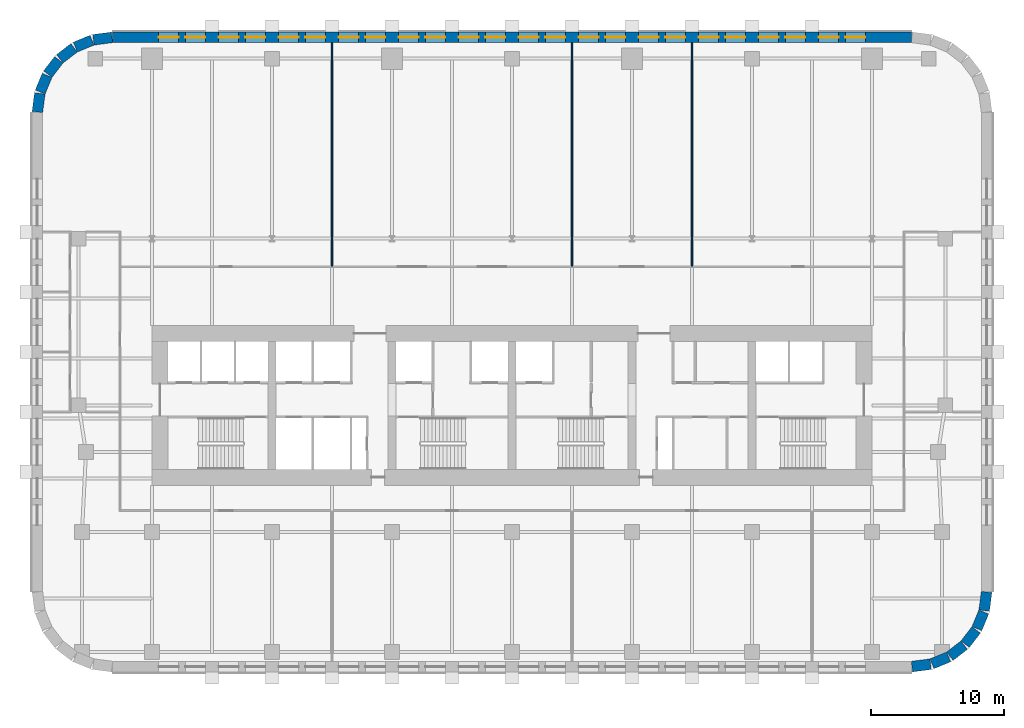
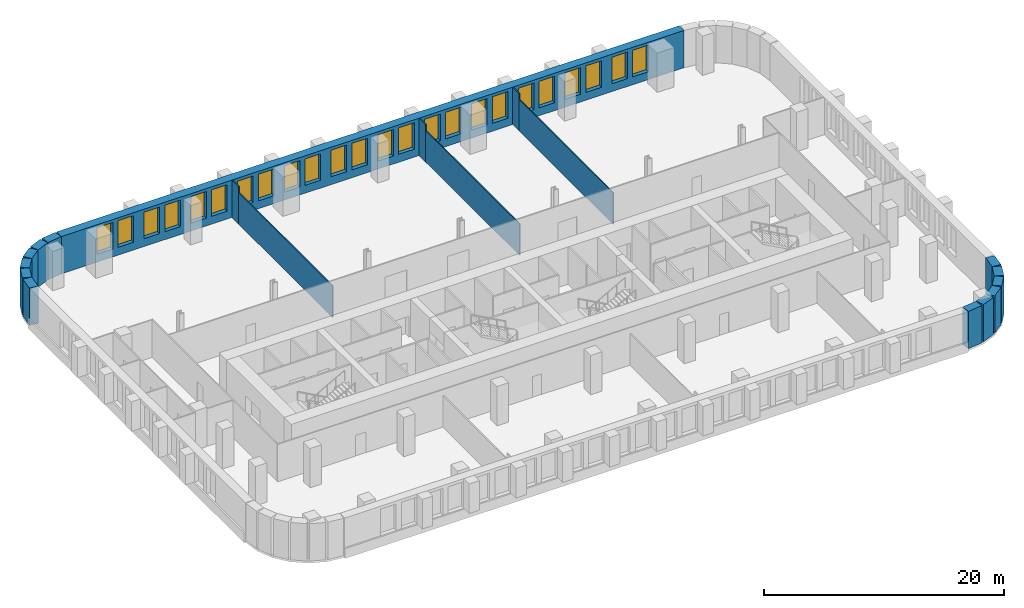
# One storey, part 7 of 11: 24 windows, 19 walls, 24 openings.
"""IFC4 building model written with IfcOpenShell, lengths in metres."""

from ifc_helpers import new_model, si_unit, direction, frame, frame_2d, origin, place, context, subcontext, project, spatial, rectangle, extrude, material, layer, layer_set, type_object, element, fill, save


model = new_model("IFC4")

# Units and contexts
model_context = context("Model", 3, precision=1e-05, world=origin(), true_north=direction((0.0, 1.0)))
body_context = subcontext(model_context, "Body", "Model", "MODEL_VIEW")
ifc_project = project(units=[si_unit("LENGTHUNIT", "METRE"), si_unit("AREAUNIT", "SQUARE_METRE"), si_unit("VOLUMEUNIT", "CUBIC_METRE"), si_unit("PLANEANGLEUNIT", "RADIAN"), si_unit("MASSUNIT", "GRAM", prefix="KILO")], contexts=[model_context])

# Site, building, storey
site_placement = place(None, origin())
site = spatial("IfcSite", under=ifc_project, at=site_placement, CompositionType="ELEMENT")
building_placement = place(site_placement, origin())
building = spatial("IfcBuilding", under=site, at=building_placement, Name="Zellij Exchange Tower", CompositionType="ELEMENT")
storey_placement = place(building_placement, frame((0.0, 0.0, 72.5)))
storey = spatial("IfcBuildingStorey", under=building, at=storey_placement, Name="L14", CompositionType="ELEMENT", Elevation=72.5)

# Walls
ifc_material_1 = material(Name="Precast concrete C40/50", Category="concrete")
ifc_layer_1 = layer(ifc_material_1, 0.800048828125)
ifc_layer_set_1 = layer_set([ifc_layer_1], Name="Precast concrete C40/50")
wall_type_1 = type_object("IfcWallType", Name="ENV-EW1 Precast stone-piered wall 800", PredefinedType="SOLIDWALL", material=ifc_layer_set_1)
wall_1_placement = place(storey_placement, frame((29.999755859375, -27.5966796875, 0.0), z_axis=(0.0, 0.0, 1.0), x_axis=(0.99144603414, 0.130517283865, 0.0)))
element("IfcWall", 1, at=wall_1_placement, inside=storey, type_object=wall_type_1, Name="fac.L14.01", PredefinedType="SOLIDWALL", context=body_context, shape_type="SweptSolid", body=[
    extrude(rectangle(XDim=1.408447265625, YDim=0.800048828125, at=frame_2d((0.7041015625, 0.0))), origin(), (0.0, 0.0, 1.0), 3.800048828125),
])
wall_2_placement = place(storey_placement, frame((31.497314453125, -27.3857421875, 0.0), z_axis=(0.0, 0.0, 1.0), x_axis=(0.923847774587, 0.38276009378, 0.0)))
element("IfcWall", 2, at=wall_2_placement, inside=storey, type_object=wall_type_1, Name="fac.L14.02", PredefinedType="SOLIDWALL", context=body_context, shape_type="SweptSolid", body=[
    extrude(rectangle(XDim=1.35546875, YDim=0.800048828125, at=frame_2d((0.677734375, 0.0))), origin(), (0.0, 0.0, 1.0), 3.800048828125),
])
for number, where, z_axis, x_axis, name in (
    (3, (32.840087890625, -26.814697265625, 0.0), (0.0, 0.0, 1.0), (0.793272915452, 0.608866226366, 0.0), "fac.L14.03"),
    (4, (33.9892578125, -25.91552734375, 0.0), (0.0, 0.0, 1.0), (0.608866226366, 0.793272915452, 0.0), "fac.L14.04"),
):
    element("IfcWall", number, at=place(storey_placement, frame(where, z_axis=z_axis, x_axis=x_axis)), inside=storey, type_object=wall_type_1, Name=name, PredefinedType="SOLIDWALL", context=body_context, shape_type="SweptSolid", body=[
        extrude(rectangle(XDim=1.355712890625, YDim=0.800048828125, at=frame_2d((0.677734375, 0.0))), origin(), (0.0, 0.0, 1.0), 3.800048828125),
    ])
wall_3_placement = place(storey_placement, frame((34.866943359375, -24.74951171875, 0.0), z_axis=(0.0, 0.0, 1.0), x_axis=(0.38276009378, 0.923847774587, 0.0)))
element("IfcWall", 5, at=wall_3_placement, inside=storey, type_object=wall_type_1, Name="fac.L14.05", PredefinedType="SOLIDWALL", context=body_context, shape_type="SweptSolid", body=[
    extrude(rectangle(XDim=1.35546875, YDim=0.800048828125, at=frame_2d((0.677734375, 0.0))), origin(), (0.0, 0.0, 1.0), 3.800048828125),
])
wall_4_placement = place(storey_placement, frame((35.412841796875, -23.396240234375, 0.0), z_axis=(0.0, 0.0, 1.0), x_axis=(0.130517283865, 0.99144603414, 0.0)))
element("IfcWall", 6, at=wall_4_placement, inside=storey, type_object=wall_type_1, Name="fac.L14.06", PredefinedType="SOLIDWALL", context=body_context, shape_type="SweptSolid", body=[
    extrude(rectangle(XDim=1.408447265625, YDim=0.800048828125, at=frame_2d((0.7041015625, 0.0))), origin(), (0.0, 0.0, 1.0), 3.800048828125),
])

# Wall, openings, windows
wall_5_placement = place(storey_placement, frame((29.947509765625, 19.60009765625, 0.0), z_axis=(0.0, 0.0, 1.0), x_axis=(-1.0, 0.0, 0.0)))
wall_5 = element("IfcWall", 7, at=wall_5_placement, inside=storey, type_object=wall_type_1, Name="fac.L14.14", PredefinedType="SOLIDWALL", context=body_context, shape_type="SweptSolid", body=[
    extrude(rectangle(XDim=59.89501953125, YDim=0.800048828125, at=frame_2d((29.947509765625, 0.0))), origin(), (0.0, 0.0, 1.0), 3.800048828125),
])
opening_1_placement = place(wall_5_placement, frame((3.447509765625, 0.0, 0.800048828125)))
opening_1 = element("IfcOpeningElement", 8, at=opening_1_placement, cuts=wall_5, Name="Opening FZ1.37", PredefinedType="OPENING", context=body_context, shape_type="SweptSolid", body=[
    extrude(rectangle(XDim=1.5, YDim=2.699951171875, at=frame_2d((0.75, 1.35009765625))), frame((0.0, 0.412109375, 0.0), z_axis=(0.0, -1.0, 0.0), x_axis=(1.0, 0.0, 0.0)), (0.0, 0.0, 1.0), 0.823974609375),
])
opening_2_placement = place(wall_5_placement, frame((5.447509765625, 0.0, 0.800048828125)))
opening_2 = element("IfcOpeningElement", 9, at=opening_2_placement, cuts=wall_5, Name="Opening FZ1.38", PredefinedType="OPENING", context=body_context, shape_type="SweptSolid", body=[
    extrude(rectangle(XDim=1.5, YDim=2.699951171875, at=frame_2d((0.75, 1.35009765625))), frame((0.0, 0.412109375, 0.0), z_axis=(0.0, -1.0, 0.0), x_axis=(1.0, 0.0, 0.0)), (0.0, 0.0, 1.0), 0.823974609375),
])
opening_3_placement = place(wall_5_placement, frame((7.947509765625, 0.0, 0.800048828125)))
opening_3 = element("IfcOpeningElement", 10, at=opening_3_placement, cuts=wall_5, Name="Opening FZ1.39", PredefinedType="OPENING", context=body_context, shape_type="SweptSolid", body=[
    extrude(rectangle(XDim=1.5, YDim=2.699951171875, at=frame_2d((0.75, 1.35009765625))), frame((0.0, 0.412109375, 0.0), z_axis=(0.0, -1.0, 0.0), x_axis=(1.0, 0.0, 0.0)), (0.0, 0.0, 1.0), 0.823974609375),
])
opening_4_placement = place(wall_5_placement, frame((9.947509765625, 0.0, 0.800048828125)))
opening_4 = element("IfcOpeningElement", 11, at=opening_4_placement, cuts=wall_5, Name="Opening FZ1.40", PredefinedType="OPENING", context=body_context, shape_type="SweptSolid", body=[
    extrude(rectangle(XDim=1.5, YDim=2.699951171875, at=frame_2d((0.75, 1.35009765625))), frame((0.0, 0.412109375, 0.0), z_axis=(0.0, -1.0, 0.0), x_axis=(1.0, 0.0, 0.0)), (0.0, 0.0, 1.0), 0.823974609375),
])
opening_5_placement = place(wall_5_placement, frame((12.447509765625, 0.0, 0.800048828125)))
opening_5 = element("IfcOpeningElement", 12, at=opening_5_placement, cuts=wall_5, Name="Opening FZ1.41", PredefinedType="OPENING", context=body_context, shape_type="SweptSolid", body=[
    extrude(rectangle(XDim=1.5, YDim=2.699951171875, at=frame_2d((0.75, 1.35009765625))), frame((0.0, 0.412109375, 0.0), z_axis=(0.0, -1.0, 0.0), x_axis=(1.0, 0.0, 0.0)), (0.0, 0.0, 1.0), 0.823974609375),
])
opening_6_placement = place(wall_5_placement, frame((14.447509765625, 0.0, 0.800048828125)))
opening_6 = element("IfcOpeningElement", 13, at=opening_6_placement, cuts=wall_5, Name="Opening FZ1.42", PredefinedType="OPENING", context=body_context, shape_type="SweptSolid", body=[
    extrude(rectangle(XDim=1.5, YDim=2.699951171875, at=frame_2d((0.75, 1.35009765625))), frame((0.0, 0.412109375, 0.0), z_axis=(0.0, -1.0, 0.0), x_axis=(1.0, 0.0, 0.0)), (0.0, 0.0, 1.0), 0.823974609375),
])
opening_7_placement = place(wall_5_placement, frame((16.947509765625, 0.0, 0.800048828125)))
opening_7 = element("IfcOpeningElement", 14, at=opening_7_placement, cuts=wall_5, Name="Opening FZ1.43", PredefinedType="OPENING", context=body_context, shape_type="SweptSolid", body=[
    extrude(rectangle(XDim=1.5, YDim=2.699951171875, at=frame_2d((0.75, 1.35009765625))), frame((0.0, 0.412109375, 0.0), z_axis=(0.0, -1.0, 0.0), x_axis=(1.0, 0.0, 0.0)), (0.0, 0.0, 1.0), 0.823974609375),
])
opening_8_placement = place(wall_5_placement, frame((18.947509765625, 0.0, 0.800048828125)))
opening_8 = element("IfcOpeningElement", 15, at=opening_8_placement, cuts=wall_5, Name="Opening FZ1.44", PredefinedType="OPENING", context=body_context, shape_type="SweptSolid", body=[
    extrude(rectangle(XDim=1.5, YDim=2.699951171875, at=frame_2d((0.75, 1.35009765625))), frame((0.0, 0.412109375, 0.0), z_axis=(0.0, -1.0, 0.0), x_axis=(1.0, 0.0, 0.0)), (0.0, 0.0, 1.0), 0.823974609375),
])
opening_9_placement = place(wall_5_placement, frame((21.447509765625, 0.0, 0.800048828125)))
opening_9 = element("IfcOpeningElement", 16, at=opening_9_placement, cuts=wall_5, Name="Opening FZ1.45", PredefinedType="OPENING", context=body_context, shape_type="SweptSolid", body=[
    extrude(rectangle(XDim=1.5, YDim=2.699951171875, at=frame_2d((0.75, 1.35009765625))), frame((0.0, 0.412109375, 0.0), z_axis=(0.0, -1.0, 0.0), x_axis=(1.0, 0.0, 0.0)), (0.0, 0.0, 1.0), 0.823974609375),
])
opening_10_placement = place(wall_5_placement, frame((23.447509765625, 0.0, 0.800048828125)))
opening_10 = element("IfcOpeningElement", 17, at=opening_10_placement, cuts=wall_5, Name="Opening FZ1.46", PredefinedType="OPENING", context=body_context, shape_type="SweptSolid", body=[
    extrude(rectangle(XDim=1.5, YDim=2.699951171875, at=frame_2d((0.75, 1.35009765625))), frame((0.0, 0.412109375, 0.0), z_axis=(0.0, -1.0, 0.0), x_axis=(1.0, 0.0, 0.0)), (0.0, 0.0, 1.0), 0.823974609375),
])
opening_11_placement = place(wall_5_placement, frame((25.947509765625, 0.0, 0.800048828125)))
opening_11 = element("IfcOpeningElement", 18, at=opening_11_placement, cuts=wall_5, Name="Opening FZ1.47", PredefinedType="OPENING", context=body_context, shape_type="SweptSolid", body=[
    extrude(rectangle(XDim=1.5, YDim=2.699951171875, at=frame_2d((0.75, 1.35009765625))), frame((0.0, 0.412109375, 0.0), z_axis=(0.0, -1.0, 0.0), x_axis=(1.0, 0.0, 0.0)), (0.0, 0.0, 1.0), 0.823974609375),
])
opening_12_placement = place(wall_5_placement, frame((27.947509765625, 0.0, 0.800048828125)))
opening_12 = element("IfcOpeningElement", 19, at=opening_12_placement, cuts=wall_5, Name="Opening FZ1.48", PredefinedType="OPENING", context=body_context, shape_type="SweptSolid", body=[
    extrude(rectangle(XDim=1.5, YDim=2.699951171875, at=frame_2d((0.75, 1.35009765625))), frame((0.0, 0.412109375, 0.0), z_axis=(0.0, -1.0, 0.0), x_axis=(1.0, 0.0, 0.0)), (0.0, 0.0, 1.0), 0.823974609375),
])
opening_13_placement = place(wall_5_placement, frame((30.447509765625, 0.0, 0.800048828125)))
opening_13 = element("IfcOpeningElement", 20, at=opening_13_placement, cuts=wall_5, Name="Opening FZ1.49", PredefinedType="OPENING", context=body_context, shape_type="SweptSolid", body=[
    extrude(rectangle(XDim=1.5, YDim=2.699951171875, at=frame_2d((0.75, 1.35009765625))), frame((0.0, 0.412109375, 0.0), z_axis=(0.0, -1.0, 0.0), x_axis=(1.0, 0.0, 0.0)), (0.0, 0.0, 1.0), 0.823974609375),
])
opening_14_placement = place(wall_5_placement, frame((32.447509765625, 0.0, 0.800048828125)))
opening_14 = element("IfcOpeningElement", 21, at=opening_14_placement, cuts=wall_5, Name="Opening FZ1.50", PredefinedType="OPENING", context=body_context, shape_type="SweptSolid", body=[
    extrude(rectangle(XDim=1.5, YDim=2.699951171875, at=frame_2d((0.75, 1.35009765625))), frame((0.0, 0.412109375, 0.0), z_axis=(0.0, -1.0, 0.0), x_axis=(1.0, 0.0, 0.0)), (0.0, 0.0, 1.0), 0.823974609375),
])
opening_15_placement = place(wall_5_placement, frame((34.947509765625, 0.0, 0.800048828125)))
opening_15 = element("IfcOpeningElement", 22, at=opening_15_placement, cuts=wall_5, Name="Opening FZ1.51", PredefinedType="OPENING", context=body_context, shape_type="SweptSolid", body=[
    extrude(rectangle(XDim=1.5, YDim=2.699951171875, at=frame_2d((0.75, 1.35009765625))), frame((0.0, 0.412109375, 0.0), z_axis=(0.0, -1.0, 0.0), x_axis=(1.0, 0.0, 0.0)), (0.0, 0.0, 1.0), 0.823974609375),
])
opening_16_placement = place(wall_5_placement, frame((36.947509765625, 0.0, 0.800048828125)))
opening_16 = element("IfcOpeningElement", 23, at=opening_16_placement, cuts=wall_5, Name="Opening FZ1.52", PredefinedType="OPENING", context=body_context, shape_type="SweptSolid", body=[
    extrude(rectangle(XDim=1.5, YDim=2.699951171875, at=frame_2d((0.75, 1.35009765625))), frame((0.0, 0.412109375, 0.0), z_axis=(0.0, -1.0, 0.0), x_axis=(1.0, 0.0, 0.0)), (0.0, 0.0, 1.0), 0.823974609375),
])
opening_17_placement = place(wall_5_placement, frame((39.447509765625, 0.0, 0.800048828125)))
opening_17 = element("IfcOpeningElement", 24, at=opening_17_placement, cuts=wall_5, Name="Opening FZ1.53", PredefinedType="OPENING", context=body_context, shape_type="SweptSolid", body=[
    extrude(rectangle(XDim=1.5, YDim=2.699951171875, at=frame_2d((0.75, 1.35009765625))), frame((0.0, 0.412109375, 0.0), z_axis=(0.0, -1.0, 0.0), x_axis=(1.0, 0.0, 0.0)), (0.0, 0.0, 1.0), 0.823974609375),
])
opening_18_placement = place(wall_5_placement, frame((41.447509765625, 0.0, 0.800048828125)))
opening_18 = element("IfcOpeningElement", 25, at=opening_18_placement, cuts=wall_5, Name="Opening FZ1.54", PredefinedType="OPENING", context=body_context, shape_type="SweptSolid", body=[
    extrude(rectangle(XDim=1.5, YDim=2.699951171875, at=frame_2d((0.75, 1.35009765625))), frame((0.0, 0.412109375, 0.0), z_axis=(0.0, -1.0, 0.0), x_axis=(1.0, 0.0, 0.0)), (0.0, 0.0, 1.0), 0.823974609375),
])
opening_19_placement = place(wall_5_placement, frame((43.947509765625, 0.0, 0.800048828125)))
opening_19 = element("IfcOpeningElement", 26, at=opening_19_placement, cuts=wall_5, Name="Opening FZ1.55", PredefinedType="OPENING", context=body_context, shape_type="SweptSolid", body=[
    extrude(rectangle(XDim=1.5, YDim=2.699951171875, at=frame_2d((0.75, 1.35009765625))), frame((0.0, 0.412109375, 0.0), z_axis=(0.0, -1.0, 0.0), x_axis=(1.0, 0.0, 0.0)), (0.0, 0.0, 1.0), 0.823974609375),
])
opening_20_placement = place(wall_5_placement, frame((45.947509765625, 0.0, 0.800048828125)))
opening_20 = element("IfcOpeningElement", 27, at=opening_20_placement, cuts=wall_5, Name="Opening FZ1.56", PredefinedType="OPENING", context=body_context, shape_type="SweptSolid", body=[
    extrude(rectangle(XDim=1.5, YDim=2.699951171875, at=frame_2d((0.75, 1.35009765625))), frame((0.0, 0.412109375, 0.0), z_axis=(0.0, -1.0, 0.0), x_axis=(1.0, 0.0, 0.0)), (0.0, 0.0, 1.0), 0.823974609375),
])
opening_21_placement = place(wall_5_placement, frame((48.447509765625, 0.0, 0.800048828125)))
opening_21 = element("IfcOpeningElement", 28, at=opening_21_placement, cuts=wall_5, Name="Opening FZ1.57", PredefinedType="OPENING", context=body_context, shape_type="SweptSolid", body=[
    extrude(rectangle(XDim=1.5, YDim=2.699951171875, at=frame_2d((0.75, 1.35009765625))), frame((0.0, 0.412109375, 0.0), z_axis=(0.0, -1.0, 0.0), x_axis=(1.0, 0.0, 0.0)), (0.0, 0.0, 1.0), 0.823974609375),
])
opening_22_placement = place(wall_5_placement, frame((50.447509765625, 0.0, 0.800048828125)))
opening_22 = element("IfcOpeningElement", 29, at=opening_22_placement, cuts=wall_5, Name="Opening FZ1.58", PredefinedType="OPENING", context=body_context, shape_type="SweptSolid", body=[
    extrude(rectangle(XDim=1.5, YDim=2.699951171875, at=frame_2d((0.75, 1.35009765625))), frame((0.0, 0.412109375, 0.0), z_axis=(0.0, -1.0, 0.0), x_axis=(1.0, 0.0, 0.0)), (0.0, 0.0, 1.0), 0.823974609375),
])
opening_23_placement = place(wall_5_placement, frame((52.947509765625, 0.0, 0.800048828125)))
opening_23 = element("IfcOpeningElement", 30, at=opening_23_placement, cuts=wall_5, Name="Opening FZ1.59", PredefinedType="OPENING", context=body_context, shape_type="SweptSolid", body=[
    extrude(rectangle(XDim=1.5, YDim=2.699951171875, at=frame_2d((0.75, 1.35009765625))), frame((0.0, 0.412109375, 0.0), z_axis=(0.0, -1.0, 0.0), x_axis=(1.0, 0.0, 0.0)), (0.0, 0.0, 1.0), 0.823974609375),
])
opening_24_placement = place(wall_5_placement, frame((54.947509765625, 0.0, 0.800048828125)))
opening_24 = element("IfcOpeningElement", 31, at=opening_24_placement, cuts=wall_5, Name="Opening FZ1.60", PredefinedType="OPENING", context=body_context, shape_type="SweptSolid", body=[
    extrude(rectangle(XDim=1.5, YDim=2.699951171875, at=frame_2d((0.75, 1.35009765625))), frame((0.0, 0.412109375, 0.0), z_axis=(0.0, -1.0, 0.0), x_axis=(1.0, 0.0, 0.0)), (0.0, 0.0, 1.0), 0.823974609375),
])
ifc_material_2 = material(Name="Aluminium frame with insulating glass", Category="aluminium")
window_type = type_object("IfcWindowType", Name="ENV-W6 Window 1500x2700", PartitioningType="SINGLE_PANEL", PredefinedType="WINDOW", material=ifc_material_2)
window_1_placement = place(opening_1_placement, origin())
window_1 = element("IfcWindow", 32, at=window_1_placement, inside=storey, type_object=window_type, Name="Window FZ1.37", OverallHeight=2.699951171875, OverallWidth=1.5, PartitioningType="SINGLE_PANEL", PredefinedType="WINDOW", context=body_context, shape_type="SweptSolid", body=[
    extrude(rectangle(XDim=1.5, YDim=2.699951171875, at=frame_2d((0.75, 1.35009765625))), frame((0.0, 0.030029296875, 0.0), z_axis=(0.0, -1.0, 0.0), x_axis=(1.0, 0.0, 0.0)), (0.0, 0.0, 1.0), 0.06005859375),
])
fill(opening_1, window_1)
window_2_placement = place(opening_2_placement, origin())
window_2 = element("IfcWindow", 33, at=window_2_placement, inside=storey, type_object=window_type, Name="Window FZ1.38", OverallHeight=2.699951171875, OverallWidth=1.5, PartitioningType="SINGLE_PANEL", PredefinedType="WINDOW", context=body_context, shape_type="SweptSolid", body=[
    extrude(rectangle(XDim=1.5, YDim=2.699951171875, at=frame_2d((0.75, 1.35009765625))), frame((0.0, 0.030029296875, 0.0), z_axis=(0.0, -1.0, 0.0), x_axis=(1.0, 0.0, 0.0)), (0.0, 0.0, 1.0), 0.06005859375),
])
fill(opening_2, window_2)
window_3_placement = place(opening_3_placement, origin())
window_3 = element("IfcWindow", 34, at=window_3_placement, inside=storey, type_object=window_type, Name="Window FZ1.39", OverallHeight=2.699951171875, OverallWidth=1.5, PartitioningType="SINGLE_PANEL", PredefinedType="WINDOW", context=body_context, shape_type="SweptSolid", body=[
    extrude(rectangle(XDim=1.5, YDim=2.699951171875, at=frame_2d((0.75, 1.35009765625))), frame((0.0, 0.030029296875, 0.0), z_axis=(0.0, -1.0, 0.0), x_axis=(1.0, 0.0, 0.0)), (0.0, 0.0, 1.0), 0.06005859375),
])
fill(opening_3, window_3)
window_4_placement = place(opening_4_placement, origin())
window_4 = element("IfcWindow", 35, at=window_4_placement, inside=storey, type_object=window_type, Name="Window FZ1.40", OverallHeight=2.699951171875, OverallWidth=1.5, PartitioningType="SINGLE_PANEL", PredefinedType="WINDOW", context=body_context, shape_type="SweptSolid", body=[
    extrude(rectangle(XDim=1.5, YDim=2.699951171875, at=frame_2d((0.75, 1.35009765625))), frame((0.0, 0.030029296875, 0.0), z_axis=(0.0, -1.0, 0.0), x_axis=(1.0, 0.0, 0.0)), (0.0, 0.0, 1.0), 0.06005859375),
])
fill(opening_4, window_4)
window_5_placement = place(opening_5_placement, origin())
window_5 = element("IfcWindow", 36, at=window_5_placement, inside=storey, type_object=window_type, Name="Window FZ1.41", OverallHeight=2.699951171875, OverallWidth=1.5, PartitioningType="SINGLE_PANEL", PredefinedType="WINDOW", context=body_context, shape_type="SweptSolid", body=[
    extrude(rectangle(XDim=1.5, YDim=2.699951171875, at=frame_2d((0.75, 1.35009765625))), frame((0.0, 0.030029296875, 0.0), z_axis=(0.0, -1.0, 0.0), x_axis=(1.0, 0.0, 0.0)), (0.0, 0.0, 1.0), 0.06005859375),
])
fill(opening_5, window_5)
window_6_placement = place(opening_6_placement, origin())
window_6 = element("IfcWindow", 37, at=window_6_placement, inside=storey, type_object=window_type, Name="Window FZ1.42", OverallHeight=2.699951171875, OverallWidth=1.5, PartitioningType="SINGLE_PANEL", PredefinedType="WINDOW", context=body_context, shape_type="SweptSolid", body=[
    extrude(rectangle(XDim=1.5, YDim=2.699951171875, at=frame_2d((0.75, 1.35009765625))), frame((0.0, 0.030029296875, 0.0), z_axis=(0.0, -1.0, 0.0), x_axis=(1.0, 0.0, 0.0)), (0.0, 0.0, 1.0), 0.06005859375),
])
fill(opening_6, window_6)
window_7_placement = place(opening_7_placement, origin())
window_7 = element("IfcWindow", 38, at=window_7_placement, inside=storey, type_object=window_type, Name="Window FZ1.43", OverallHeight=2.699951171875, OverallWidth=1.5, PartitioningType="SINGLE_PANEL", PredefinedType="WINDOW", context=body_context, shape_type="SweptSolid", body=[
    extrude(rectangle(XDim=1.5, YDim=2.699951171875, at=frame_2d((0.75, 1.35009765625))), frame((0.0, 0.030029296875, 0.0), z_axis=(0.0, -1.0, 0.0), x_axis=(1.0, 0.0, 0.0)), (0.0, 0.0, 1.0), 0.06005859375),
])
fill(opening_7, window_7)
window_8_placement = place(opening_8_placement, origin())
window_8 = element("IfcWindow", 39, at=window_8_placement, inside=storey, type_object=window_type, Name="Window FZ1.44", OverallHeight=2.699951171875, OverallWidth=1.5, PartitioningType="SINGLE_PANEL", PredefinedType="WINDOW", context=body_context, shape_type="SweptSolid", body=[
    extrude(rectangle(XDim=1.5, YDim=2.699951171875, at=frame_2d((0.75, 1.35009765625))), frame((0.0, 0.030029296875, 0.0), z_axis=(0.0, -1.0, 0.0), x_axis=(1.0, 0.0, 0.0)), (0.0, 0.0, 1.0), 0.06005859375),
])
fill(opening_8, window_8)
window_9_placement = place(opening_9_placement, origin())
window_9 = element("IfcWindow", 40, at=window_9_placement, inside=storey, type_object=window_type, Name="Window FZ1.45", OverallHeight=2.699951171875, OverallWidth=1.5, PartitioningType="SINGLE_PANEL", PredefinedType="WINDOW", context=body_context, shape_type="SweptSolid", body=[
    extrude(rectangle(XDim=1.5, YDim=2.699951171875, at=frame_2d((0.75, 1.35009765625))), frame((0.0, 0.030029296875, 0.0), z_axis=(0.0, -1.0, 0.0), x_axis=(1.0, 0.0, 0.0)), (0.0, 0.0, 1.0), 0.06005859375),
])
fill(opening_9, window_9)
window_10_placement = place(opening_10_placement, origin())
window_10 = element("IfcWindow", 41, at=window_10_placement, inside=storey, type_object=window_type, Name="Window FZ1.46", OverallHeight=2.699951171875, OverallWidth=1.5, PartitioningType="SINGLE_PANEL", PredefinedType="WINDOW", context=body_context, shape_type="SweptSolid", body=[
    extrude(rectangle(XDim=1.5, YDim=2.699951171875, at=frame_2d((0.75, 1.35009765625))), frame((0.0, 0.030029296875, 0.0), z_axis=(0.0, -1.0, 0.0), x_axis=(1.0, 0.0, 0.0)), (0.0, 0.0, 1.0), 0.06005859375),
])
fill(opening_10, window_10)
window_11_placement = place(opening_11_placement, origin())
window_11 = element("IfcWindow", 42, at=window_11_placement, inside=storey, type_object=window_type, Name="Window FZ1.47", OverallHeight=2.699951171875, OverallWidth=1.5, PartitioningType="SINGLE_PANEL", PredefinedType="WINDOW", context=body_context, shape_type="SweptSolid", body=[
    extrude(rectangle(XDim=1.5, YDim=2.699951171875, at=frame_2d((0.75, 1.35009765625))), frame((0.0, 0.030029296875, 0.0), z_axis=(0.0, -1.0, 0.0), x_axis=(1.0, 0.0, 0.0)), (0.0, 0.0, 1.0), 0.06005859375),
])
fill(opening_11, window_11)
window_12_placement = place(opening_12_placement, origin())
window_12 = element("IfcWindow", 43, at=window_12_placement, inside=storey, type_object=window_type, Name="Window FZ1.48", OverallHeight=2.699951171875, OverallWidth=1.5, PartitioningType="SINGLE_PANEL", PredefinedType="WINDOW", context=body_context, shape_type="SweptSolid", body=[
    extrude(rectangle(XDim=1.5, YDim=2.699951171875, at=frame_2d((0.75, 1.35009765625))), frame((0.0, 0.030029296875, 0.0), z_axis=(0.0, -1.0, 0.0), x_axis=(1.0, 0.0, 0.0)), (0.0, 0.0, 1.0), 0.06005859375),
])
fill(opening_12, window_12)
window_13_placement = place(opening_13_placement, origin())
window_13 = element("IfcWindow", 44, at=window_13_placement, inside=storey, type_object=window_type, Name="Window FZ1.49", OverallHeight=2.699951171875, OverallWidth=1.5, PartitioningType="SINGLE_PANEL", PredefinedType="WINDOW", context=body_context, shape_type="SweptSolid", body=[
    extrude(rectangle(XDim=1.5, YDim=2.699951171875, at=frame_2d((0.75, 1.35009765625))), frame((0.0, 0.030029296875, 0.0), z_axis=(0.0, -1.0, 0.0), x_axis=(1.0, 0.0, 0.0)), (0.0, 0.0, 1.0), 0.06005859375),
])
fill(opening_13, window_13)
window_14_placement = place(opening_14_placement, origin())
window_14 = element("IfcWindow", 45, at=window_14_placement, inside=storey, type_object=window_type, Name="Window FZ1.50", OverallHeight=2.699951171875, OverallWidth=1.5, PartitioningType="SINGLE_PANEL", PredefinedType="WINDOW", context=body_context, shape_type="SweptSolid", body=[
    extrude(rectangle(XDim=1.5, YDim=2.699951171875, at=frame_2d((0.75, 1.35009765625))), frame((0.0, 0.030029296875, 0.0), z_axis=(0.0, -1.0, 0.0), x_axis=(1.0, 0.0, 0.0)), (0.0, 0.0, 1.0), 0.06005859375),
])
fill(opening_14, window_14)
window_15_placement = place(opening_15_placement, origin())
window_15 = element("IfcWindow", 46, at=window_15_placement, inside=storey, type_object=window_type, Name="Window FZ1.51", OverallHeight=2.699951171875, OverallWidth=1.5, PartitioningType="SINGLE_PANEL", PredefinedType="WINDOW", context=body_context, shape_type="SweptSolid", body=[
    extrude(rectangle(XDim=1.5, YDim=2.699951171875, at=frame_2d((0.75, 1.35009765625))), frame((0.0, 0.030029296875, 0.0), z_axis=(0.0, -1.0, 0.0), x_axis=(1.0, 0.0, 0.0)), (0.0, 0.0, 1.0), 0.06005859375),
])
fill(opening_15, window_15)
window_16_placement = place(opening_16_placement, origin())
window_16 = element("IfcWindow", 47, at=window_16_placement, inside=storey, type_object=window_type, Name="Window FZ1.52", OverallHeight=2.699951171875, OverallWidth=1.5, PartitioningType="SINGLE_PANEL", PredefinedType="WINDOW", context=body_context, shape_type="SweptSolid", body=[
    extrude(rectangle(XDim=1.5, YDim=2.699951171875, at=frame_2d((0.75, 1.35009765625))), frame((0.0, 0.030029296875, 0.0), z_axis=(0.0, -1.0, 0.0), x_axis=(1.0, 0.0, 0.0)), (0.0, 0.0, 1.0), 0.06005859375),
])
fill(opening_16, window_16)
window_17_placement = place(opening_17_placement, origin())
window_17 = element("IfcWindow", 48, at=window_17_placement, inside=storey, type_object=window_type, Name="Window FZ1.53", OverallHeight=2.699951171875, OverallWidth=1.5, PartitioningType="SINGLE_PANEL", PredefinedType="WINDOW", context=body_context, shape_type="SweptSolid", body=[
    extrude(rectangle(XDim=1.5, YDim=2.699951171875, at=frame_2d((0.75, 1.35009765625))), frame((0.0, 0.030029296875, 0.0), z_axis=(0.0, -1.0, 0.0), x_axis=(1.0, 0.0, 0.0)), (0.0, 0.0, 1.0), 0.06005859375),
])
fill(opening_17, window_17)
window_18_placement = place(opening_18_placement, origin())
window_18 = element("IfcWindow", 49, at=window_18_placement, inside=storey, type_object=window_type, Name="Window FZ1.54", OverallHeight=2.699951171875, OverallWidth=1.5, PartitioningType="SINGLE_PANEL", PredefinedType="WINDOW", context=body_context, shape_type="SweptSolid", body=[
    extrude(rectangle(XDim=1.5, YDim=2.699951171875, at=frame_2d((0.75, 1.35009765625))), frame((0.0, 0.030029296875, 0.0), z_axis=(0.0, -1.0, 0.0), x_axis=(1.0, 0.0, 0.0)), (0.0, 0.0, 1.0), 0.06005859375),
])
fill(opening_18, window_18)
window_19_placement = place(opening_19_placement, origin())
window_19 = element("IfcWindow", 50, at=window_19_placement, inside=storey, type_object=window_type, Name="Window FZ1.55", OverallHeight=2.699951171875, OverallWidth=1.5, PartitioningType="SINGLE_PANEL", PredefinedType="WINDOW", context=body_context, shape_type="SweptSolid", body=[
    extrude(rectangle(XDim=1.5, YDim=2.699951171875, at=frame_2d((0.75, 1.35009765625))), frame((0.0, 0.030029296875, 0.0), z_axis=(0.0, -1.0, 0.0), x_axis=(1.0, 0.0, 0.0)), (0.0, 0.0, 1.0), 0.06005859375),
])
fill(opening_19, window_19)
window_20_placement = place(opening_20_placement, origin())
window_20 = element("IfcWindow", 51, at=window_20_placement, inside=storey, type_object=window_type, Name="Window FZ1.56", OverallHeight=2.699951171875, OverallWidth=1.5, PartitioningType="SINGLE_PANEL", PredefinedType="WINDOW", context=body_context, shape_type="SweptSolid", body=[
    extrude(rectangle(XDim=1.5, YDim=2.699951171875, at=frame_2d((0.75, 1.35009765625))), frame((0.0, 0.030029296875, 0.0), z_axis=(0.0, -1.0, 0.0), x_axis=(1.0, 0.0, 0.0)), (0.0, 0.0, 1.0), 0.06005859375),
])
fill(opening_20, window_20)
window_21_placement = place(opening_21_placement, origin())
window_21 = element("IfcWindow", 52, at=window_21_placement, inside=storey, type_object=window_type, Name="Window FZ1.57", OverallHeight=2.699951171875, OverallWidth=1.5, PartitioningType="SINGLE_PANEL", PredefinedType="WINDOW", context=body_context, shape_type="SweptSolid", body=[
    extrude(rectangle(XDim=1.5, YDim=2.699951171875, at=frame_2d((0.75, 1.35009765625))), frame((0.0, 0.030029296875, 0.0), z_axis=(0.0, -1.0, 0.0), x_axis=(1.0, 0.0, 0.0)), (0.0, 0.0, 1.0), 0.06005859375),
])
fill(opening_21, window_21)
window_22_placement = place(opening_22_placement, origin())
window_22 = element("IfcWindow", 53, at=window_22_placement, inside=storey, type_object=window_type, Name="Window FZ1.58", OverallHeight=2.699951171875, OverallWidth=1.5, PartitioningType="SINGLE_PANEL", PredefinedType="WINDOW", context=body_context, shape_type="SweptSolid", body=[
    extrude(rectangle(XDim=1.5, YDim=2.699951171875, at=frame_2d((0.75, 1.35009765625))), frame((0.0, 0.030029296875, 0.0), z_axis=(0.0, -1.0, 0.0), x_axis=(1.0, 0.0, 0.0)), (0.0, 0.0, 1.0), 0.06005859375),
])
fill(opening_22, window_22)
window_23_placement = place(opening_23_placement, origin())
window_23 = element("IfcWindow", 54, at=window_23_placement, inside=storey, type_object=window_type, Name="Window FZ1.59", OverallHeight=2.699951171875, OverallWidth=1.5, PartitioningType="SINGLE_PANEL", PredefinedType="WINDOW", context=body_context, shape_type="SweptSolid", body=[
    extrude(rectangle(XDim=1.5, YDim=2.699951171875, at=frame_2d((0.75, 1.35009765625))), frame((0.0, 0.030029296875, 0.0), z_axis=(0.0, -1.0, 0.0), x_axis=(1.0, 0.0, 0.0)), (0.0, 0.0, 1.0), 0.06005859375),
])
fill(opening_23, window_23)
window_24_placement = place(opening_24_placement, origin())
window_24 = element("IfcWindow", 55, at=window_24_placement, inside=storey, type_object=window_type, Name="Window FZ1.60", OverallHeight=2.699951171875, OverallWidth=1.5, PartitioningType="SINGLE_PANEL", PredefinedType="WINDOW", context=body_context, shape_type="SweptSolid", body=[
    extrude(rectangle(XDim=1.5, YDim=2.699951171875, at=frame_2d((0.75, 1.35009765625))), frame((0.0, 0.030029296875, 0.0), z_axis=(0.0, -1.0, 0.0), x_axis=(1.0, 0.0, 0.0)), (0.0, 0.0, 1.0), 0.06005859375),
])
fill(opening_24, window_24)

# Walls
wall_6_placement = place(storey_placement, frame((-29.999755859375, 19.5966796875, 0.0), z_axis=(0.0, 0.0, 1.0), x_axis=(-0.99144603414, -0.130517283865, 0.0)))
element("IfcWall", 56, at=wall_6_placement, inside=storey, type_object=wall_type_1, Name="fac.L14.15", PredefinedType="SOLIDWALL", context=body_context, shape_type="SweptSolid", body=[
    extrude(rectangle(XDim=1.408447265625, YDim=0.800048828125, at=frame_2d((0.7041015625, 0.0))), origin(), (0.0, 0.0, 1.0), 3.800048828125),
])
wall_7_placement = place(storey_placement, frame((-31.497314453125, 19.3857421875, 0.0), z_axis=(0.0, 0.0, 1.0), x_axis=(-0.923847774587, -0.38276009378, 0.0)))
element("IfcWall", 57, at=wall_7_placement, inside=storey, type_object=wall_type_1, Name="fac.L14.16", PredefinedType="SOLIDWALL", context=body_context, shape_type="SweptSolid", body=[
    extrude(rectangle(XDim=1.35546875, YDim=0.800048828125, at=frame_2d((0.677734375, 0.0))), origin(), (0.0, 0.0, 1.0), 3.800048828125),
])
for number, where, z_axis, x_axis, name in (
    (58, (-32.840087890625, 18.814697265625, 0.0), (0.0, 0.0, 1.0), (-0.793272915452, -0.608866226366, 0.0), "fac.L14.17"),
    (59, (-33.9892578125, 17.91552734375, 0.0), (0.0, 0.0, 1.0), (-0.608866226366, -0.793272915452, 0.0), "fac.L14.18"),
):
    element("IfcWall", number, at=place(storey_placement, frame(where, z_axis=z_axis, x_axis=x_axis)), inside=storey, type_object=wall_type_1, Name=name, PredefinedType="SOLIDWALL", context=body_context, shape_type="SweptSolid", body=[
        extrude(rectangle(XDim=1.355712890625, YDim=0.800048828125, at=frame_2d((0.677734375, 0.0))), origin(), (0.0, 0.0, 1.0), 3.800048828125),
    ])
wall_8_placement = place(storey_placement, frame((-34.866943359375, 16.74951171875, 0.0), z_axis=(0.0, 0.0, 1.0), x_axis=(-0.38276009378, -0.923847774587, 0.0)))
element("IfcWall", 60, at=wall_8_placement, inside=storey, type_object=wall_type_1, Name="fac.L14.19", PredefinedType="SOLIDWALL", context=body_context, shape_type="SweptSolid", body=[
    extrude(rectangle(XDim=1.35546875, YDim=0.800048828125, at=frame_2d((0.677734375, 0.0))), origin(), (0.0, 0.0, 1.0), 3.800048828125),
])
wall_9_placement = place(storey_placement, frame((-35.412841796875, 15.396240234375, 0.0), z_axis=(0.0, 0.0, 1.0), x_axis=(-0.130517283865, -0.99144603414, 0.0)))
element("IfcWall", 61, at=wall_9_placement, inside=storey, type_object=wall_type_1, Name="fac.L14.20", PredefinedType="SOLIDWALL", context=body_context, shape_type="SweptSolid", body=[
    extrude(rectangle(XDim=1.408447265625, YDim=0.800048828125, at=frame_2d((0.7041015625, 0.0))), origin(), (0.0, 0.0, 1.0), 3.800048828125),
])
ifc_material_3 = material(Name="Gypsum board partition on steel studs", Category="steel")
ifc_layer_2 = layer(ifc_material_3, 0.10009765625)
ifc_layer_set_2 = layer_set([ifc_layer_2], Name="Gypsum board partition on steel studs")
wall_type_2 = type_object("IfcWallType", Name="FIT-PARTITION-100", PredefinedType="PARTITIONING", material=ifc_layer_set_2)
wall_10_placement = place(storey_placement, frame((-13.5, 2.449951171875, 0.0), z_axis=(0.0, 0.0, 1.0), x_axis=(0.0, 1.0, 0.0)))
element("IfcWall", 62, at=wall_10_placement, inside=storey, type_object=wall_type_2, Name="FIT-PARTITION-100 018", PredefinedType="PARTITIONING", context=body_context, shape_type="SweptSolid", body=[
    extrude(rectangle(XDim=15.66455078125, YDim=0.10009765625, at=frame_2d((7.832275390625, 0.0))), origin(), (0.0, 0.0, 1.0), 3.197998046875),
])
wall_11_placement = place(storey_placement, frame((-13.5, 18.114501953125, 0.0), z_axis=(0.0, 0.0, 1.0), x_axis=(0.0, 1.0, 0.0)))
element("IfcWall", 63, at=wall_11_placement, inside=storey, type_object=wall_type_2, Name="FIT-PARTITION-100 019", PredefinedType="PARTITIONING", context=body_context, shape_type="SweptSolid", body=[
    extrude(rectangle(XDim=1.08544921875, YDim=0.10009765625, at=frame_2d((0.542724609375, 0.0))), origin(), (0.0, 0.0, 1.0), 3.800048828125),
])
wall_12_placement = place(storey_placement, frame((4.5, 2.449951171875, 0.0), z_axis=(0.0, 0.0, 1.0), x_axis=(0.0, 1.0, 0.0)))
element("IfcWall", 64, at=wall_12_placement, inside=storey, type_object=wall_type_2, Name="FIT-PARTITION-100 020", PredefinedType="PARTITIONING", context=body_context, shape_type="SweptSolid", body=[
    extrude(rectangle(XDim=15.66455078125, YDim=0.10009765625, at=frame_2d((7.832275390625, 0.0))), origin(), (0.0, 0.0, 1.0), 3.197998046875),
])
wall_13_placement = place(storey_placement, frame((4.5, 18.114501953125, 0.0), z_axis=(0.0, 0.0, 1.0), x_axis=(0.0, 1.0, 0.0)))
element("IfcWall", 65, at=wall_13_placement, inside=storey, type_object=wall_type_2, Name="FIT-PARTITION-100 021", PredefinedType="PARTITIONING", context=body_context, shape_type="SweptSolid", body=[
    extrude(rectangle(XDim=1.08544921875, YDim=0.10009765625, at=frame_2d((0.542724609375, 0.0))), origin(), (0.0, 0.0, 1.0), 3.800048828125),
])
wall_14_placement = place(storey_placement, frame((13.5, 2.449951171875, 0.0), z_axis=(0.0, 0.0, 1.0), x_axis=(0.0, 1.0, 0.0)))
element("IfcWall", 66, at=wall_14_placement, inside=storey, type_object=wall_type_2, Name="FIT-PARTITION-100 022", PredefinedType="PARTITIONING", context=body_context, shape_type="SweptSolid", body=[
    extrude(rectangle(XDim=15.66455078125, YDim=0.10009765625, at=frame_2d((7.832275390625, 0.0))), origin(), (0.0, 0.0, 1.0), 3.197998046875),
])
wall_15_placement = place(storey_placement, frame((13.5, 18.114501953125, 0.0), z_axis=(0.0, 0.0, 1.0), x_axis=(0.0, 1.0, 0.0)))
element("IfcWall", 67, at=wall_15_placement, inside=storey, type_object=wall_type_2, Name="FIT-PARTITION-100 023", PredefinedType="PARTITIONING", context=body_context, shape_type="SweptSolid", body=[
    extrude(rectangle(XDim=1.08544921875, YDim=0.10009765625, at=frame_2d((0.542724609375, 0.0))), origin(), (0.0, 0.0, 1.0), 3.800048828125),
])

save(model, "model.ifc")
